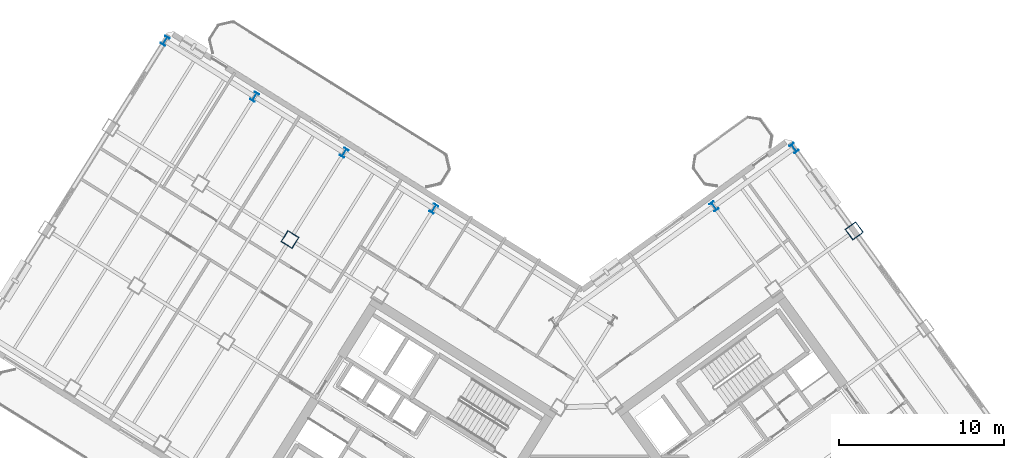
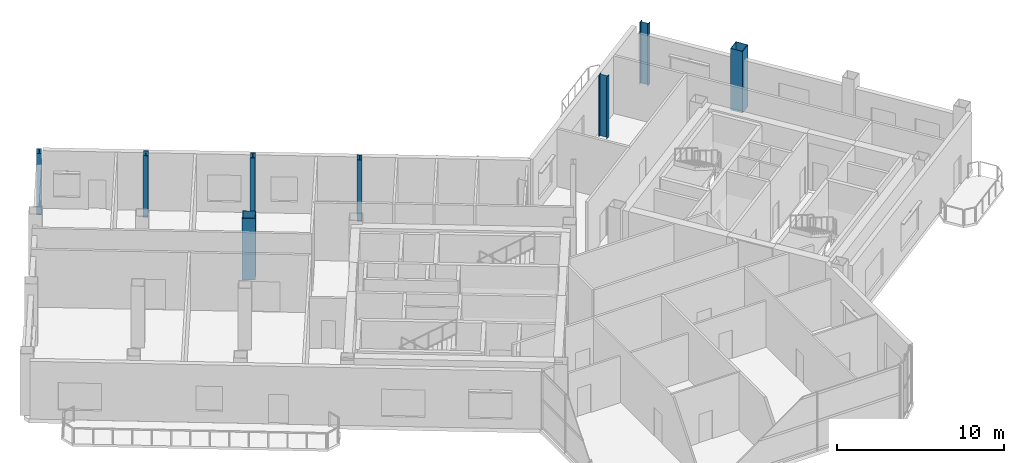
# One storey, part 3 of 20: 8 columns.
"""IFC4 building model written with IfcOpenShell, lengths in metres."""

from ifc_helpers import new_model, si_unit, direction, frame, origin, origin_2d, place, context, subcontext, project, spatial, hollow_rectangle, i_section, extrude, source, transform, mapped, material, material_profile, profile_set, type_object, element, save


model = new_model("IFC4")

# Units and contexts
model_context = context("Model", 3, precision=1e-05, world=origin(), true_north=direction((0.0, 1.0)))
body_context = subcontext(model_context, "Body", "Model", "MODEL_VIEW")
ifc_project = project(units=[si_unit("LENGTHUNIT", "METRE"), si_unit("AREAUNIT", "SQUARE_METRE"), si_unit("VOLUMEUNIT", "CUBIC_METRE"), si_unit("PLANEANGLEUNIT", "RADIAN"), si_unit("MASSUNIT", "GRAM", prefix="KILO")], contexts=[model_context])

# Site, building, storey
site_placement = place(None, origin())
site = spatial("IfcSite", under=ifc_project, at=site_placement, CompositionType="ELEMENT")
building_placement = place(site_placement, origin())
building = spatial("IfcBuilding", under=site, at=building_placement, Name="Tlacorven Tower", CompositionType="ELEMENT")
storey_placement = place(building_placement, frame((0.0, 0.0, 195.0)))
storey = spatial("IfcBuildingStorey", under=building, at=storey_placement, Name="L49", CompositionType="ELEMENT", Elevation=195.0)

# Columns
ifc_material = material(Name="Steel S460M", Category="steel")
ifc_material_profile_1 = material_profile(ifc_material, i_section(OverallWidth=0.300048828125, OverallDepth=0.550048828125, WebThickness=0.014892578125, FlangeThickness=0.029052734375, at=origin_2d()), Name="HEB 550")
ifc_profile_set_1 = profile_set([ifc_material_profile_1], Name="Steel S460M")
column_type_1 = type_object("IfcColumnType", Name="COL-TWR-P2", PredefinedType="COLUMN", material=ifc_profile_set_1)
shared_shape_1 = source(origin(), body_context, "Body", "SweptSolid", [
    extrude(i_section(OverallWidth=0.300048828125, OverallDepth=0.550048828125, WebThickness=0.014892578125, FlangeThickness=0.029052734375, at=origin_2d()), origin(), (0.0, 0.0, 1.0), 4.5),
])
for number, where, z_axis, x_axis, name in (
    (1, (33.21337890625, 36.50927734375, 0.0), (0.0, 0.0, 1.0), (-0.848048096156, 0.529919264233, 0.0), "L49 column COL-L49-W3-1"),
    (2, (27.785888671875, 39.900634765625, 0.0), (0.0, 0.0, 1.0), (-0.848048096156, 0.529919264233, 0.0), "L49 column COL-L49-W4-1"),
    (3, (22.3583984375, 43.292236328125, 0.0), (0.0, 0.0, 1.0), (-0.848048096156, 0.529919264233, 0.0), "L49 column COL-L49-W5-1"),
    (4, (16.930908203125, 46.68359375, 0.0), (0.0, 0.0, 1.0), (-0.848048096156, 0.529919264233, 0.0), "L49 column COL-L49-W6-1"),
    (5, (50.187744140625, 36.654296875, 0.0), (0.0, 0.0, 1.0), (0.809016994375, 0.587785252292, 0.0), "L49 column COL-L49-E3-4"),
    (6, (55.041748046875, 40.18115234375, 0.0), (0.0, 0.0, 1.0), (0.809016994375, 0.587785252292, 0.0), "L49 column COL-L49-E4-4"),
):
    element("IfcColumn", number, at=place(storey_placement, frame(where, z_axis=z_axis, x_axis=x_axis)), inside=storey, type_object=column_type_1, Name=name, PredefinedType="COLUMN", context=body_context, shape_type="MappedRepresentation", body=[
        mapped(shared_shape_1, transform((0.0, 0.0, 0.0), scale=1.0)),
    ])
ifc_material_profile_2 = material_profile(ifc_material, hollow_rectangle(XDim=0.800048828125, YDim=0.800048828125, WallThickness=0.031982421875, at=origin_2d()), Name="BOX 800X800X32")
ifc_profile_set_2 = profile_set([ifc_material_profile_2], Name="Steel S460M")
column_type_2 = type_object("IfcColumnType", Name="COL-TWR-S3", PredefinedType="COLUMN", material=ifc_profile_set_2)
shared_shape_2 = source(origin(), body_context, "Body", "SweptSolid", [
    extrude(hollow_rectangle(XDim=0.800048828125, YDim=0.800048828125, WallThickness=0.031982421875, at=origin_2d()), origin(), (0.0, 0.0, 1.0), 4.5),
])
for number, where, z_axis, x_axis, name in (
    (7, (24.50048828125, 34.642822265625, 0.0), (0.0, 0.0, 1.0), (-0.848048096156, 0.529919264233, 0.0), "L49 column COL-L49-W4-2"),
    (8, (58.68603515625, 35.165283203125, 0.0), (0.0, 0.0, 1.0), (0.809016994375, 0.587785252292, 0.0), "L49 column COL-L49-E4-3"),
):
    element("IfcColumn", number, at=place(storey_placement, frame(where, z_axis=z_axis, x_axis=x_axis)), inside=storey, type_object=column_type_2, Name=name, PredefinedType="COLUMN", context=body_context, shape_type="MappedRepresentation", body=[
        mapped(shared_shape_2, transform((0.0, 0.0, 0.0), scale=1.0)),
    ])

save(model, "model.ifc")
